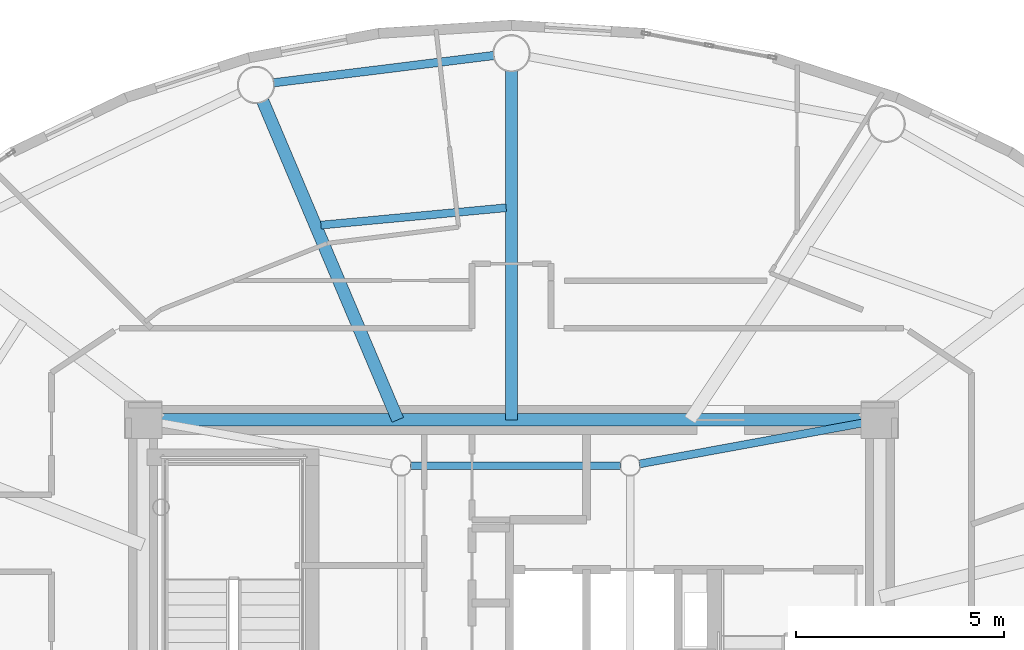
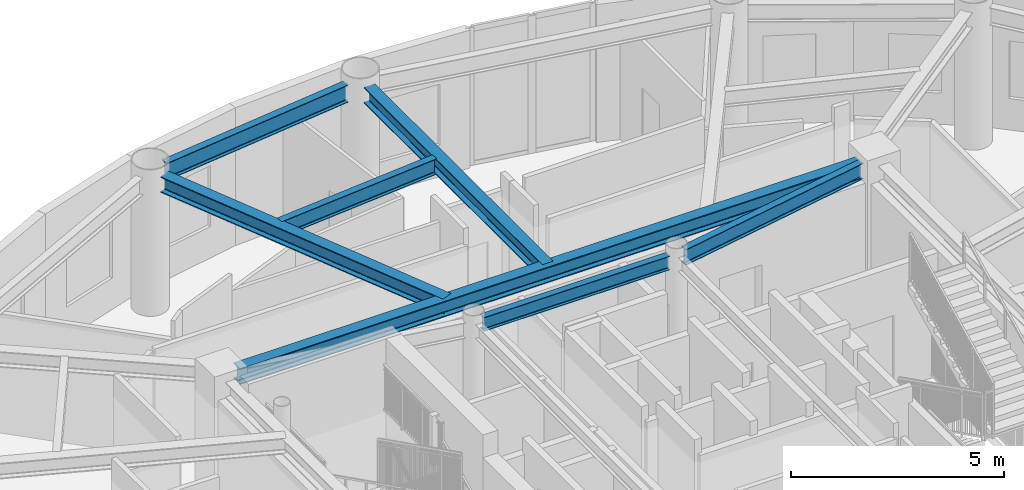
# One storey, part 9 of 24: 7 beams.
"""IFC4 building model written with IfcOpenShell, lengths in metres."""

from ifc_helpers import new_model, si_unit, direction, frame, origin, origin_2d, place, context, subcontext, project, spatial, i_section, extrude, material, material_profile, profile_set, type_object, element, save


model = new_model("IFC4")

# Units and contexts
model_context = context("Model", 3, precision=1e-05, world=origin(), true_north=direction((0.0, 1.0)))
body_context = subcontext(model_context, "Body", "Model", "MODEL_VIEW")
ifc_project = project(units=[si_unit("LENGTHUNIT", "METRE"), si_unit("AREAUNIT", "SQUARE_METRE"), si_unit("VOLUMEUNIT", "CUBIC_METRE"), si_unit("PLANEANGLEUNIT", "RADIAN"), si_unit("MASSUNIT", "GRAM", prefix="KILO")], contexts=[model_context])

# Site, building, storey
site_placement = place(None, origin())
site = spatial("IfcSite", under=ifc_project, at=site_placement, CompositionType="ELEMENT")
building_placement = place(site_placement, origin())
building = spatial("IfcBuilding", under=site, at=building_placement, Name="Linh Dai School and Residence Tower", CompositionType="ELEMENT")
storey_placement = place(building_placement, frame((0.0, 0.0, 355.199951171875)))
storey = spatial("IfcBuildingStorey", under=building, at=storey_placement, Name="L88", CompositionType="ELEMENT", Elevation=355.199951171875)

# Beams
ifc_material = material(Name="Structural Steel S355JR", Category="steel")
ifc_material_profile_1 = material_profile(ifc_material, i_section(OverallWidth=0.199951171875, OverallDepth=0.5, WebThickness=0.01025390625, FlangeThickness=0.01611328125, FilletRadius=0.02099609375, at=origin_2d()), Name="IPE 500")
ifc_profile_set_1 = profile_set([ifc_material_profile_1], Name="Structural Steel S355JR")
beam_type_1 = type_object("IfcBeamType", Name="BM-RB50", PredefinedType="BEAM", material=ifc_profile_set_1)
beam_1_placement = place(storey_placement, frame((35.583251953125, 42.203369140625, 3.699951171875), z_axis=(-0.992398979221, -0.123062041428, 0.0), x_axis=(0.123062041428, -0.992398979221, 0.0)))
element("IfcBeam", 1, at=beam_1_placement, inside=storey, type_object=beam_type_1, Name="L88 Perimeter Elliptical Ring Beam 05", PredefinedType="BEAM", context=body_context, shape_type="SweptSolid", body=[
    extrude(i_section(OverallWidth=0.199951171875, OverallDepth=0.5, WebThickness=0.01025390625, FlangeThickness=0.01611328125, FilletRadius=0.02099609375, at=origin_2d()), origin(), (0.0, 0.0, 1.0), 5.344482421875),
])
ifc_material_profile_2 = material_profile(ifc_material, i_section(OverallWidth=0.300048828125, OverallDepth=0.449951171875, WebThickness=0.013916015625, FlangeThickness=0.02587890625, FilletRadius=0.027099609375, at=origin_2d()), Name="HEB 450")
ifc_profile_set_2 = profile_set([ifc_material_profile_2], Name="Structural Steel S355JR")
beam_type_2 = type_object("IfcBeamType", Name="BM-RG45", PredefinedType="BEAM", material=ifc_profile_set_2)
beam_2_placement = place(storey_placement, frame((44.429931640625, 33.449951171875, 3.72509765625), z_axis=(-1.0, 0.0, 0.0), x_axis=(0.0, -1.0, 0.0)))
element("IfcBeam", 2, at=beam_2_placement, inside=storey, type_object=beam_type_2, Name="L88 Core Perimeter Coupling Girder 3", PredefinedType="BEAM", context=body_context, shape_type="SweptSolid", body=[
    extrude(i_section(OverallWidth=0.300048828125, OverallDepth=0.449951171875, WebThickness=0.013916015625, FlangeThickness=0.02587890625, FilletRadius=0.027099609375, at=origin_2d()), origin(), (0.0, 0.0, 1.0), 16.85986328125),
])
beam_3_placement = place(storey_placement, frame((36.0, 33.449951171875, 3.72509765625), z_axis=(0.0, 1.0, 0.0), x_axis=(-1.0, 0.0, 0.0)))
element("IfcBeam", 3, at=beam_3_placement, inside=storey, type_object=beam_type_2, Name="L88 Primary Radial Floor Girder 05", PredefinedType="BEAM", context=body_context, shape_type="SweptSolid", body=[
    extrude(i_section(OverallWidth=0.300048828125, OverallDepth=0.449951171875, WebThickness=0.013916015625, FlangeThickness=0.02587890625, FilletRadius=0.027099609375, at=origin_2d()), origin(), (0.0, 0.0, 1.0), 8.385009765625),
])
beam_4_placement = place(storey_placement, frame((33.268798828125, 33.449951171875, 3.72509765625), z_axis=(-0.389954119501, 0.920834287309, 0.0), x_axis=(-0.920834287309, -0.389954119501, 0.0)))
element("IfcBeam", 4, at=beam_4_placement, inside=storey, type_object=beam_type_2, Name="L88 Primary Radial Floor Girder 06", PredefinedType="BEAM", context=body_context, shape_type="SweptSolid", body=[
    extrude(i_section(OverallWidth=0.300048828125, OverallDepth=0.449951171875, WebThickness=0.013916015625, FlangeThickness=0.02587890625, FilletRadius=0.027099609375, at=origin_2d()), origin(), (0.0, 0.0, 1.0), 8.3154296875),
])
ifc_material_profile_3 = material_profile(ifc_material, i_section(OverallWidth=0.179931640625, OverallDepth=0.39990234375, WebThickness=0.008544921875, FlangeThickness=0.013427734375, FilletRadius=0.02099609375, at=origin_2d()), Name="IPE 400")
ifc_profile_set_3 = profile_set([ifc_material_profile_3], Name="Structural Steel S355JR")
beam_type_3 = type_object("IfcBeamType", Name="BM-SB40", PredefinedType="BEAM", material=ifc_profile_set_3)
beam_5_placement = place(storey_placement, frame((38.6259765625, 32.35009765625, 3.75), z_axis=(-1.0, 0.0, 0.0), x_axis=(0.0, -1.0, 0.0)))
element("IfcBeam", 5, at=beam_5_placement, inside=storey, type_object=beam_type_3, Name="L88 Core Mast Pier Tie Beam 3", PredefinedType="BEAM", context=body_context, shape_type="SweptSolid", body=[
    extrude(i_section(OverallWidth=0.179931640625, OverallDepth=0.39990234375, WebThickness=0.008544921875, FlangeThickness=0.013427734375, FilletRadius=0.02099609375, at=origin_2d()), origin(), (0.0, 0.0, 1.0), 5.052001953125),
])
ifc_material_profile_4 = material_profile(ifc_material, i_section(OverallWidth=0.18994140625, OverallDepth=0.449951171875, WebThickness=0.009521484375, FlangeThickness=0.0146484375, FilletRadius=0.02099609375, at=origin_2d()), Name="IPE 450")
ifc_profile_set_4 = profile_set([ifc_material_profile_4], Name="Structural Steel S355JR")
beam_type_4 = type_object("IfcBeamType", Name="BM-SB45", PredefinedType="BEAM", material=ifc_profile_set_4)
beam_6_placement = place(storey_placement, frame((44.436767578125, 33.374267578125, 3.72509765625), z_axis=(-0.983605366802, -0.180334362777, 0.0), x_axis=(0.180334362777, -0.983605366802, 0.0)))
element("IfcBeam", 6, at=beam_6_placement, inside=storey, type_object=beam_type_4, Name="L88 Core Corner-to-Mast Pier Beam 3", PredefinedType="BEAM", context=body_context, shape_type="SweptSolid", body=[
    extrude(i_section(OverallWidth=0.18994140625, OverallDepth=0.449951171875, WebThickness=0.009521484375, FlangeThickness=0.0146484375, FilletRadius=0.02099609375, at=origin_2d()), origin(), (0.0, 0.0, 1.0), 5.455810546875),
])
beam_7_placement = place(storey_placement, frame((35.87060546875, 38.544677734375, 3.72509765625), z_axis=(-0.995634384765, -0.093339015817, 0.0), x_axis=(0.093339015817, -0.995634384765, 0.0)))
element("IfcBeam", 7, at=beam_7_placement, inside=storey, type_object=beam_type_4, Name="L88 Secondary Circumferential Floor Beam 03", PredefinedType="BEAM", context=body_context, shape_type="SweptSolid", body=[
    extrude(i_section(OverallWidth=0.18994140625, OverallDepth=0.449951171875, WebThickness=0.009521484375, FlangeThickness=0.0146484375, FilletRadius=0.02099609375, at=origin_2d()), origin(), (0.0, 0.0, 1.0), 4.467529296875),
])

save(model, "model.ifc")
